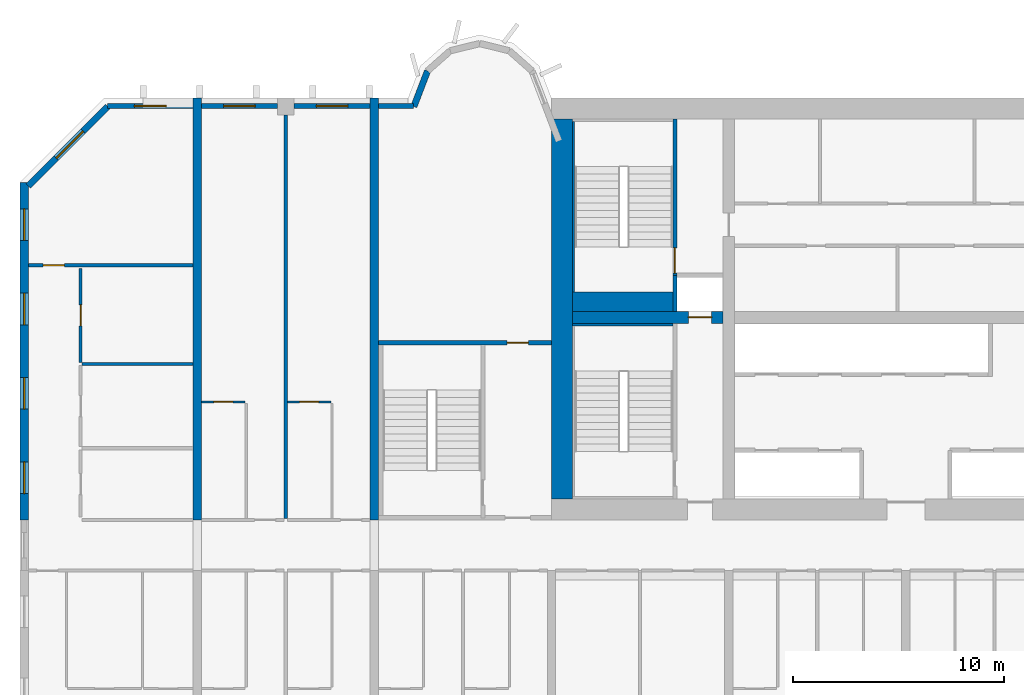
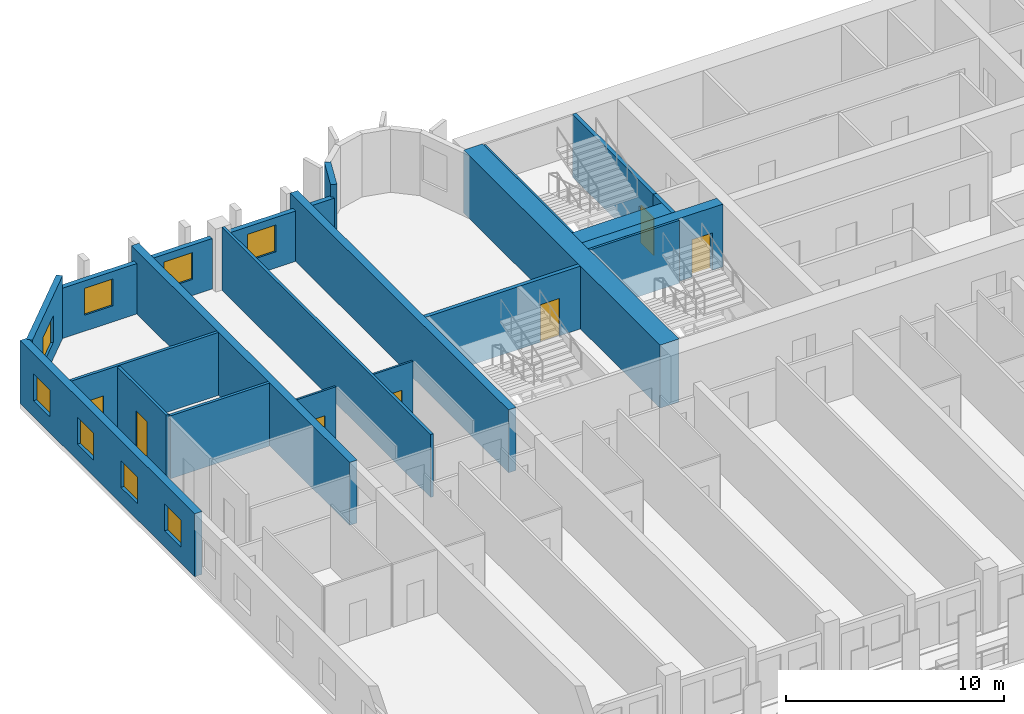
# One storey, part 6 of 14: 23 walls, 8 windows, 7 doors, 15 openings.
"""IFC4 building model written with IfcOpenShell, lengths in metres."""

import ifcopenshell
import ifcopenshell.guid

model = None  # the IFC model being written
_history = None  # IfcOwnerHistory: only IFC2X3 demands one
_inside = {}  # id of a spatial element -> (the spatial element, [elements in it])
_under = {}  # id of a project, library or spatial element -> (it, [spatial elements below it])
_declared = {}  # id of a project -> (the project, [libraries it declares])
_typed = {}  # id of a type object -> (the type object, [elements of that type])
_made_of = {}  # id of a material, layer set ... -> (it, [elements and type objects made of it])


def new_model(schema):
    """Start an empty IFC model of exactly this schema.

    Asked for "IFC4X3", IfcOpenShell would pick the latest addendum, in which some entities
    have other attributes; the version numbers below select the first issue.
    IFC2X3 requires an IfcOwnerHistory on every rooted entity: one is made here for all.
    """
    global model, _history
    if schema == "IFC4X3":
        model = ifcopenshell.file(schema_version=(4, 3, 0, 0))
    else:
        model = ifcopenshell.file(schema=schema)
    _inside.clear()
    _under.clear()
    _declared.clear()
    _typed.clear()
    _made_of.clear()
    _history = None
    if model.schema == "IFC2X3":
        org = make("IfcOrganization", Name="unknown")
        user = make(
            "IfcPersonAndOrganization",
            ThePerson=make("IfcPerson", FamilyName="unknown"),
            TheOrganization=org,
        )
        app = make(
            "IfcApplication",
            ApplicationDeveloper=org,
            Version="unknown",
            ApplicationFullName="unknown",
            ApplicationIdentifier="unknown",
        )
        _history = make(
            "IfcOwnerHistory",
            OwningUser=user,
            OwningApplication=app,
            ChangeAction="ADDED",
            CreationDate=0,
        )
    return model


def make(cls, **values):
    """One entity of the class cls with the attributes given. An attribute that is None is left unset."""
    return model.create_entity(
        cls, **{name: value for name, value in values.items() if value is not None}
    )


def rooted(cls, **values):
    """An entity with a GlobalId (a new one), such as an element, a storey or a relation."""
    return make(cls, GlobalId=ifcopenshell.guid.new(), OwnerHistory=_history, **values)


def si_unit(unit_type, name, prefix=None):
    """IfcSIUnit, for example si_unit("LENGTHUNIT", "METRE", prefix="MILLI")."""
    return make("IfcSIUnit", UnitType=unit_type, Prefix=prefix, Name=name)


def assignment(units):
    """IfcUnitAssignment: the units of a project."""
    return None if units is None else make("IfcUnitAssignment", Units=units)


def point(xyz):
    """IfcCartesianPoint."""
    return None if xyz is None else make("IfcCartesianPoint", Coordinates=xyz)


def direction(xyz):
    """IfcDirection."""
    return None if xyz is None else make("IfcDirection", DirectionRatios=xyz)


def frame(location, z_axis=None, x_axis=None):
    """IfcAxis2Placement3D, a coordinate frame: its origin and axes. An axis left out is left unset."""
    return make(
        "IfcAxis2Placement3D",
        Location=point(location),
        Axis=direction(z_axis),
        RefDirection=direction(x_axis),
    )


def frame_2d(location, x_axis=None):
    """IfcAxis2Placement2D, a coordinate frame in the plane: its origin and x axis."""
    return make(
        "IfcAxis2Placement2D", Location=point(location), RefDirection=direction(x_axis)
    )


def origin():
    """The frame at (0, 0, 0) with its axes left unset."""
    return frame((0.0, 0.0, 0.0))


def place(relative_to, where):
    """IfcLocalPlacement: puts the frame where relative to a parent placement (None: the world)."""
    return make(
        "IfcLocalPlacement", PlacementRelTo=relative_to, RelativePlacement=where
    )


def context(
    kind, dimensions, precision=None, world=None, true_north=None, identifier=None
):
    """IfcGeometricRepresentationContext, for example the 3D "Model" context."""
    return make(
        "IfcGeometricRepresentationContext",
        ContextIdentifier=identifier,
        ContextType=kind,
        CoordinateSpaceDimension=dimensions,
        Precision=precision,
        WorldCoordinateSystem=world,
        TrueNorth=true_north,
    )


def subcontext(parent, identifier, kind, view, scale=None):
    """IfcGeometricRepresentationSubContext, for example "Body" below "Model"."""
    return make(
        "IfcGeometricRepresentationSubContext",
        ContextIdentifier=identifier,
        ContextType=kind,
        ParentContext=parent,
        TargetScale=scale,
        TargetView=view,
    )


def project(units=None, contexts=None):
    """IfcProject with its units and contexts."""
    return rooted(
        "IfcProject",
        Name="project",
        RepresentationContexts=contexts,
        UnitsInContext=assignment(units),
    )


def spatial(cls, under=None, at=None, **own):
    """A site, building, storey or space (cls), placed at a placement, below another one or the project."""
    s = rooted(cls, ObjectPlacement=at, **own)
    if under is not None:
        _under.setdefault(under.id(), (under, []))[1].append(s)
    return s


def profile(cls, at=None, kind="AREA", **sizes):
    """A parametric profile (cls). Its sizes go by their IFC names, for example OverallWidth=200.0."""
    return make(cls, ProfileType=kind, Position=at, **sizes)


def rectangle(**sizes):
    """IfcRectangleProfileDef."""
    return profile("IfcRectangleProfileDef", **sizes)


def extrude(swept, where, along, depth):
    """IfcExtrudedAreaSolid: the profile swept, set in the frame where, extruded along a direction by depth."""
    return make(
        "IfcExtrudedAreaSolid",
        SweptArea=swept,
        Position=where,
        ExtrudedDirection=direction(along),
        Depth=depth,
    )


def shape(context_of_items, identifier, shape_type, items):
    """IfcShapeRepresentation: the items that make up one representation, for example the "Body"."""
    return make(
        "IfcShapeRepresentation",
        ContextOfItems=context_of_items,
        RepresentationIdentifier=identifier,
        RepresentationType=shape_type,
        Items=items,
    )


def source(mapping_origin, context_of_items, identifier, shape_type, items):
    """IfcRepresentationMap: a shape defined once, which mapped items show again and again."""
    return make(
        "IfcRepresentationMap",
        MappingOrigin=mapping_origin,
        MappedRepresentation=shape(context_of_items, identifier, shape_type, items),
    )


def transform(
    local_origin,
    x_axis=None,
    y_axis=None,
    z_axis=None,
    scale=None,
    scale2=None,
    scale3=None,
    uniform=True,
):
    """IfcCartesianTransformationOperator3D, or its non-uniform kind. x_axis, y_axis, z_axis: its Axis1, 2, 3."""
    if uniform:
        return make(
            "IfcCartesianTransformationOperator3D",
            Axis1=direction(x_axis),
            Axis2=direction(y_axis),
            LocalOrigin=point(local_origin),
            Scale=scale,
            Axis3=direction(z_axis),
        )
    return make(
        "IfcCartesianTransformationOperator3DnonUniform",
        Axis1=direction(x_axis),
        Axis2=direction(y_axis),
        LocalOrigin=point(local_origin),
        Scale=scale,
        Axis3=direction(z_axis),
        Scale2=scale2,
        Scale3=scale3,
    )


def mapped(mapping_source, mapping_target):
    """IfcMappedItem: shows the shape of a source again, moved by a transform."""
    return make(
        "IfcMappedItem", MappingSource=mapping_source, MappingTarget=mapping_target
    )


def material(Name=None, Category=None):
    """IfcMaterial."""
    return make("IfcMaterial", Name=Name, Category=Category)


def layer(
    of_material, thickness, ventilated=None, Name=None, Category=None, Priority=None
):
    """IfcMaterialLayer: one layer of a wall or slab, of a material (None: an air gap)."""
    return make(
        "IfcMaterialLayer",
        Material=of_material,
        LayerThickness=thickness,
        IsVentilated=ventilated,
        Name=Name,
        Category=Category,
        Priority=Priority,
    )


def layer_set(layers, Name=None):
    """IfcMaterialLayerSet."""
    return make("IfcMaterialLayerSet", MaterialLayers=layers, LayerSetName=Name)


def made_of(thing, what):
    """Note that an element or type object is made of a material, layer set ...; save() writes the relation."""
    if what is not None:
        _made_of.setdefault(what.id(), (what, []))[1].append(thing)
    return thing


def type_object(cls, material=None, **own):
    """A type object (cls), such as IfcWallType, which elements share."""
    return made_of(rooted(cls, **own), material)


def element(
    cls,
    number,
    at=None,
    inside=None,
    cuts=None,
    type_object=None,
    material=None,
    context=None,
    identifier="Body",
    shape_type=None,
    held_by="IfcProductDefinitionShape",
    body=None,
    shapes=None,
    **own,
):
    """One element of the class cls, such as IfcWall. Its Tag is "e" and its number.

    at: its placement. inside: the storey or other place that contains it. cuts: it is an
    opening in that element (IfcRelVoidsElement). A single representation is given by context,
    identifier, shape_type and body (its items); several are given by shapes. held_by: the class
    of the entity that holds the representations. save() writes the other relations.
    """
    e = rooted(cls, Tag="e%d" % number, ObjectPlacement=at, **own)
    if body is not None:
        shapes = [shape(context, identifier, shape_type, body)]
    if shapes is not None:
        e.Representation = make(held_by, Representations=shapes)
    if inside is not None:
        _inside.setdefault(inside.id(), (inside, []))[1].append(e)
    if cuts is not None:
        rooted(
            "IfcRelVoidsElement", RelatingBuildingElement=cuts, RelatedOpeningElement=e
        )
    if type_object is not None:
        _typed.setdefault(type_object.id(), (type_object, []))[1].append(e)
    return made_of(e, material)


def fill(opening, filler):
    """IfcRelFillsElement: the door or window that sits in an opening."""
    return rooted(
        "IfcRelFillsElement",
        RelatingOpeningElement=opening,
        RelatedBuildingElement=filler,
    )


def aggregate(whole, parts):
    """IfcRelAggregates: a whole, such as a stair, and the parts it consists of."""
    return rooted("IfcRelAggregates", RelatingObject=whole, RelatedObjects=parts)


def save(model, path):
    """Write the relations noted so far, then the file.

    IfcRelAggregates (storeys below a building ...), IfcRelContainedInSpatialStructure (elements
    in a storey), IfcRelDefinesByType, IfcRelAssociatesMaterial and IfcRelDeclares: one each for
    every whole, place, type object, material and project.
    """
    for whole, parts in _under.values():
        aggregate(whole, parts)
    for where, things in _inside.values():
        rooted(
            "IfcRelContainedInSpatialStructure",
            RelatedElements=things,
            RelatingStructure=where,
        )
    for kind, things in _typed.values():
        rooted("IfcRelDefinesByType", RelatedObjects=things, RelatingType=kind)
    for what, things in _made_of.values():
        rooted("IfcRelAssociatesMaterial", RelatedObjects=things, RelatingMaterial=what)
    for by, libraries in _declared.values():
        rooted("IfcRelDeclares", RelatingContext=by, RelatedDefinitions=libraries)
    model.write(path)


model = new_model("IFC4")

# Units and contexts
model_context = context("Model", 3, precision=1e-05, world=origin(), true_north=direction((0.0, 1.0)))
body_context = subcontext(model_context, "Body", "Model", "MODEL_VIEW")
ifc_project = project(units=[si_unit("LENGTHUNIT", "METRE"), si_unit("AREAUNIT", "SQUARE_METRE"), si_unit("VOLUMEUNIT", "CUBIC_METRE"), si_unit("PLANEANGLEUNIT", "RADIAN"), si_unit("MASSUNIT", "GRAM", prefix="KILO")], contexts=[model_context])

# Site, building, storey
site_placement = place(None, origin())
site = spatial("IfcSite", under=ifc_project, at=site_placement, CompositionType="ELEMENT")
building_placement = place(site_placement, origin())
building = spatial("IfcBuilding", under=site, at=building_placement, Name="Vanashikhar Sky Hotel", CompositionType="ELEMENT")
storey_placement = place(building_placement, frame((0.0, 0.0, 73.39990234375)))
storey = spatial("IfcBuildingStorey", under=building, at=storey_placement, Name="L17", CompositionType="ELEMENT", Elevation=73.39990234375)

# Wall
ifc_material_1 = material(Name="Concrete M80", Category="concrete")
ifc_layer_1 = layer(ifc_material_1, 1.0)
ifc_layer_set_1 = layer_set([ifc_layer_1], Name="RC core shell wall 1000 Concrete M80")
wall_type_1 = type_object("IfcWallType", Name="RC core shell wall 1000 Concrete M80", PredefinedType="SHEAR", material=ifc_layer_set_1)
shared_shape_1 = source(origin(), body_context, "Body", "SweptSolid", [
    extrude(rectangle(XDim=18.0, YDim=1.0, at=frame_2d((9.0, 0.0))), origin(), (0.0, 0.0, 1.0), 3.52001953125),
])
wall_1_placement = place(storey_placement, frame((25.699951171875, 23.0, 0.0), z_axis=(0.0, 0.0, 1.0), x_axis=(0.0, 1.0, 0.0)))
element("IfcWall", 1, at=wall_1_placement, inside=storey, type_object=wall_type_1, Name="KW-L17-KW", PredefinedType="SHEAR", context=body_context, shape_type="MappedRepresentation", body=[
    mapped(shared_shape_1, transform((0.0, 0.0, 0.0), scale=1.0)),
])

# Wall, opening, door
ifc_layer_2 = layer(ifc_material_1, 0.550048828125)
ifc_layer_set_2 = layer_set([ifc_layer_2], Name="RC core inner wall 550 Concrete M80")
wall_type_2 = type_object("IfcWallType", Name="RC core inner wall 550 Concrete M80", PredefinedType="SHEAR", material=ifc_layer_set_2)
shared_shape_2 = source(origin(), body_context, "Body", "SweptSolid", [
    extrude(rectangle(XDim=7.125, YDim=0.550048828125, at=frame_2d((3.5625, 0.0))), origin(), (0.0, 0.0, 1.0), 3.52001953125),
])
wall_2_placement = place(storey_placement, frame((26.199951171875, 31.60009765625, 0.0), z_axis=(0.0, 0.0, 1.0), x_axis=(1.0, 0.0, 0.0)))
wall_2 = element("IfcWall", 2, at=wall_2_placement, inside=storey, type_object=wall_type_2, Name="KW-L17-KY1", PredefinedType="SHEAR", context=body_context, shape_type="MappedRepresentation", body=[
    mapped(shared_shape_2, transform((0.0, 0.0, 0.0), scale=1.0)),
])
shared_shape_3 = source(origin(), body_context, "Body", "SweptSolid", [
    extrude(rectangle(XDim=1.10009765625, YDim=2.10009765625, at=frame_2d((0.550048828125, 1.050048828125))), frame((0.0, 0.28515625, 0.0), z_axis=(0.0, -1.0, 0.0), x_axis=(1.0, 0.0, 0.0)), (0.0, 0.0, 1.0), 0.570068359375),
])
opening_1_placement = place(wall_2_placement, frame((5.488037109375, 0.0, 0.0)))
opening_1 = element("IfcOpeningElement", 3, at=opening_1_placement, cuts=wall_2, Name="Opening LD", PredefinedType="OPENING", context=body_context, shape_type="MappedRepresentation", body=[
    mapped(shared_shape_3, transform((0.0, 0.0, 0.0), scale=1.0)),
])
ifc_material_2 = material(Name="Stainless steel", Category="steel")
door_type_1 = type_object("IfcDoorType", Name="Lift landing door 1100", OperationType="NOTDEFINED", PredefinedType="DOOR", material=ifc_material_2)
shared_shape_4 = source(origin(), body_context, "Body", "SweptSolid", [
    extrude(rectangle(XDim=1.10009765625, YDim=2.10009765625, at=frame_2d((0.550048828125, 1.050048828125))), frame((0.0, 0.02490234375, 0.0), z_axis=(0.0, -1.0, 0.0), x_axis=(1.0, 0.0, 0.0)), (0.0, 0.0, 1.0), 0.050048828125),
])
door_1_placement = place(opening_1_placement, origin())
door_1 = element("IfcDoor", 4, at=door_1_placement, inside=storey, type_object=door_type_1, Name="Lift landing door 1100", OperationType="SLIDING_TO_RIGHT", OverallHeight=2.10009765625, OverallWidth=1.10009765625, PredefinedType="DOOR", context=body_context, shape_type="MappedRepresentation", body=[
    mapped(shared_shape_4, transform((0.0, 0.0, 0.0), scale=1.0)),
])
fill(opening_1, door_1)

# Wall, openings, windows
ifc_layer_3 = layer(ifc_material_1, 0.39990234375)
ifc_layer_set_3 = layer_set([ifc_layer_3], Name="RC shear wall 400 Concrete M80")
wall_type_3 = type_object("IfcWallType", Name="RC shear wall 400 Concrete M80", PredefinedType="SHEAR", material=ifc_layer_set_3)
shared_shape_5 = source(origin(), body_context, "Body", "SweptSolid", [
    extrude(rectangle(XDim=16.0, YDim=0.39990234375, at=frame_2d((8.0, 0.0))), origin(), (0.0, 0.0, 1.0), 3.52001953125),
])
wall_3_placement = place(storey_placement, frame((0.199951171875, 22.0, 0.0), z_axis=(0.0, 0.0, 1.0), x_axis=(0.0, 1.0, 0.0)))
wall_3 = element("IfcWall", 5, at=wall_3_placement, inside=storey, type_object=wall_type_3, Name="CW-L17-XW01-2", PredefinedType="SHEAR", context=body_context, shape_type="MappedRepresentation", body=[
    mapped(shared_shape_5, transform((0.0, 0.0, 0.0), scale=1.0)),
])
shared_shape_6 = source(origin(), body_context, "Body", "SweptSolid", [
    extrude(rectangle(XDim=1.5, YDim=1.5, at=frame_2d((0.75, 0.75))), frame((0.0, 0.2099609375, 0.0), z_axis=(0.0, -1.0, 0.0), x_axis=(1.0, 0.0, 0.0)), (0.0, 0.0, 1.0), 0.419921875),
])
opening_2_placement = place(wall_3_placement, frame((1.25, 0.0, 0.89990234375)))
opening_2 = element("IfcOpeningElement", 6, at=opening_2_placement, cuts=wall_3, Name="Opening WN-1", PredefinedType="OPENING", context=body_context, shape_type="MappedRepresentation", body=[
    mapped(shared_shape_6, transform((0.0, 0.0, 0.0), scale=1.0)),
])
opening_3_placement = place(wall_3_placement, frame((5.25, 0.0, 0.89990234375)))
opening_3 = element("IfcOpeningElement", 7, at=opening_3_placement, cuts=wall_3, Name="Opening WN-1", PredefinedType="OPENING", context=body_context, shape_type="MappedRepresentation", body=[
    mapped(shared_shape_6, transform((0.0, 0.0, 0.0), scale=1.0)),
])
opening_4_placement = place(wall_3_placement, frame((9.25, 0.0, 0.89990234375)))
opening_4 = element("IfcOpeningElement", 8, at=opening_4_placement, cuts=wall_3, Name="Opening WN-1", PredefinedType="OPENING", context=body_context, shape_type="MappedRepresentation", body=[
    mapped(shared_shape_6, transform((0.0, 0.0, 0.0), scale=1.0)),
])
opening_5_placement = place(wall_3_placement, frame((13.25, 0.0, 0.89990234375)))
opening_5 = element("IfcOpeningElement", 9, at=opening_5_placement, cuts=wall_3, Name="Opening WN-1", PredefinedType="OPENING", context=body_context, shape_type="MappedRepresentation", body=[
    mapped(shared_shape_6, transform((0.0, 0.0, 0.0), scale=1.0)),
])
ifc_material_3 = material(Name="Glass", Category="glass")
window_type_1 = type_object("IfcWindowType", Name="Window 1500 x 1500", PartitioningType="SINGLE_PANEL", PredefinedType="WINDOW", material=ifc_material_3)
shared_shape_7 = source(origin(), body_context, "Body", "SweptSolid", [
    extrude(rectangle(XDim=1.5, YDim=1.5, at=frame_2d((0.75, 0.75))), frame((0.0, 0.030029296875, 0.0), z_axis=(0.0, -1.0, 0.0), x_axis=(1.0, 0.0, 0.0)), (0.0, 0.0, 1.0), 0.06005859375),
])
window_1_placement = place(opening_2_placement, origin())
window_1 = element("IfcWindow", 10, at=window_1_placement, inside=storey, type_object=window_type_1, Name="Window WN-1", OverallHeight=1.5, OverallWidth=1.5, PartitioningType="SINGLE_PANEL", PredefinedType="WINDOW", context=body_context, shape_type="MappedRepresentation", body=[
    mapped(shared_shape_7, transform((0.0, 0.0, 0.0), scale=1.0)),
])
fill(opening_2, window_1)
window_2_placement = place(opening_3_placement, origin())
window_2 = element("IfcWindow", 11, at=window_2_placement, inside=storey, type_object=window_type_1, Name="Window WN-1", OverallHeight=1.5, OverallWidth=1.5, PartitioningType="SINGLE_PANEL", PredefinedType="WINDOW", context=body_context, shape_type="MappedRepresentation", body=[
    mapped(shared_shape_7, transform((0.0, 0.0, 0.0), scale=1.0)),
])
fill(opening_3, window_2)
window_3_placement = place(opening_4_placement, origin())
window_3 = element("IfcWindow", 12, at=window_3_placement, inside=storey, type_object=window_type_1, Name="Window WN-1", OverallHeight=1.5, OverallWidth=1.5, PartitioningType="SINGLE_PANEL", PredefinedType="WINDOW", context=body_context, shape_type="MappedRepresentation", body=[
    mapped(shared_shape_7, transform((0.0, 0.0, 0.0), scale=1.0)),
])
fill(opening_4, window_3)
window_4_placement = place(opening_5_placement, origin())
window_4 = element("IfcWindow", 13, at=window_4_placement, inside=storey, type_object=window_type_1, Name="Window WN-1", OverallHeight=1.5, OverallWidth=1.5, PartitioningType="SINGLE_PANEL", PredefinedType="WINDOW", context=body_context, shape_type="MappedRepresentation", body=[
    mapped(shared_shape_7, transform((0.0, 0.0, 0.0), scale=1.0)),
])
fill(opening_5, window_4)

# Walls
shared_shape_8 = source(origin(), body_context, "Body", "SweptSolid", [
    extrude(rectangle(XDim=20.0, YDim=0.39990234375, at=frame_2d((10.0, 0.0))), origin(), (0.0, 0.0, 1.0), 3.52001953125),
])
for number, where, z_axis, x_axis, name in (
    (14, (8.39990234375, 22.0, 0.0), (0.0, 0.0, 1.0), (0.0, 1.0, 0.0), "CW-L17-XW02-2"),
    (15, (16.800048828125, 22.0, 0.0), (0.0, 0.0, 1.0), (0.0, 1.0, 0.0), "CW-L17-XW03-2"),
):
    element("IfcWall", number, at=place(storey_placement, frame(where, z_axis=z_axis, x_axis=x_axis)), inside=storey, type_object=wall_type_3, Name=name, PredefinedType="SHEAR", context=body_context, shape_type="MappedRepresentation", body=[
        mapped(shared_shape_8, transform((0.0, 0.0, 0.0), scale=1.0)),
    ])

# Wall, opening, window
ifc_material_4 = material(Name="Concrete M50", Category="concrete")
ifc_layer_4 = layer(ifc_material_4, 0.300048828125)
ifc_layer_set_4 = layer_set([ifc_layer_4], Name="Lobe wall 300")
wall_type_4 = type_object("IfcWallType", Name="Lobe wall 300", PredefinedType="SOLIDWALL", material=ifc_layer_set_4)
shared_shape_9 = source(origin(), body_context, "Body", "SweptSolid", [
    extrude(rectangle(XDim=5.32568359375, YDim=0.300048828125, at=frame_2d((2.662841796875, 0.0))), origin(), (0.0, 0.0, 1.0), 3.52001953125),
])
wall_4_placement = place(storey_placement, frame((4.165771484375, 41.60009765625, 0.0), z_axis=(0.0, 0.0, 1.0), x_axis=(-0.707106781187, -0.707106781187, 0.0)))
wall_4 = element("IfcWall", 16, at=wall_4_placement, inside=storey, type_object=wall_type_4, Name="Corner wall", PredefinedType="SOLIDWALL", context=body_context, shape_type="MappedRepresentation", body=[
    mapped(shared_shape_9, transform((0.0, 0.0, 0.0), scale=1.0)),
])
shared_shape_10 = source(origin(), body_context, "Body", "SweptSolid", [
    extrude(rectangle(XDim=1.800048828125, YDim=1.5, at=frame_2d((0.89990234375, 0.75))), frame((0.0, 0.16015625, 0.0), z_axis=(0.0, -1.0, 0.0), x_axis=(1.0, 0.0, 0.0)), (0.0, 0.0, 1.0), 0.320068359375),
])
opening_6_placement = place(wall_4_placement, frame((1.654296875, 0.0, 0.89990234375)))
opening_6 = element("IfcOpeningElement", 17, at=opening_6_placement, cuts=wall_4, Name="Opening WN-4", PredefinedType="OPENING", context=body_context, shape_type="MappedRepresentation", body=[
    mapped(shared_shape_10, transform((0.0, 0.0, 0.0), scale=1.0)),
])
window_type_2 = type_object("IfcWindowType", Name="Corner window 1800 x 1500", PartitioningType="SINGLE_PANEL", PredefinedType="WINDOW", material=ifc_material_3)
shared_shape_11 = source(origin(), body_context, "Body", "SweptSolid", [
    extrude(rectangle(XDim=1.800048828125, YDim=1.5, at=frame_2d((0.89990234375, 0.75))), frame((0.0, 0.030029296875, 0.0), z_axis=(0.0, -1.0, 0.0), x_axis=(1.0, 0.0, 0.0)), (0.0, 0.0, 1.0), 0.06005859375),
])
window_5_placement = place(opening_6_placement, origin())
window_5 = element("IfcWindow", 18, at=window_5_placement, inside=storey, type_object=window_type_2, Name="Window WN-4", OverallHeight=1.5, OverallWidth=1.800048828125, PartitioningType="SINGLE_PANEL", PredefinedType="WINDOW", context=body_context, shape_type="MappedRepresentation", body=[
    mapped(shared_shape_11, transform((0.0, 0.0, 0.0), scale=1.0)),
])
fill(opening_6, window_5)

# Walls
shared_shape_12 = source(origin(), body_context, "Body", "SweptSolid", [
    extrude(rectangle(XDim=1.81201171875, YDim=0.300048828125, at=frame_2d((0.906005859375, 0.0))), origin(), (0.0, 0.0, 1.0), 3.52001953125),
])
wall_5_placement = place(storey_placement, frame((19.323486328125, 43.2919921875, 0.0), z_axis=(0.0, 0.0, 1.0), x_axis=(-0.357877270961, -0.93376863244, 0.0)))
element("IfcWall", 19, at=wall_5_placement, inside=storey, type_object=wall_type_4, Name="Lobe wall", PredefinedType="SOLIDWALL", context=body_context, shape_type="MappedRepresentation", body=[
    mapped(shared_shape_12, transform((0.0, 0.0, 0.0), scale=1.0)),
])
ifc_layer_5 = layer(ifc_material_4, 0.25)
ifc_layer_set_5 = layer_set([ifc_layer_5], Name="Rear and end board-marked wall 250")
wall_type_5 = type_object("IfcWallType", Name="Rear and end board-marked wall 250", PredefinedType="SOLIDWALL", material=ifc_layer_set_5)
shared_shape_13 = source(origin(), body_context, "Body", "SweptSolid", [
    extrude(rectangle(XDim=1.657958984375, YDim=0.25, at=frame_2d((0.8291015625, 0.0))), origin(), (0.0, 0.0, 1.0), 2.820068359375),
])
wall_6_placement = place(storey_placement, frame((18.657958984375, 41.625, 0.0), z_axis=(0.0, 0.0, 1.0), x_axis=(-1.0, 0.0, 0.0)))
element("IfcWall", 20, at=wall_6_placement, inside=storey, type_object=wall_type_5, Name="Rear board-marked wall", PredefinedType="SOLIDWALL", context=body_context, shape_type="MappedRepresentation", body=[
    mapped(shared_shape_13, transform((0.0, 0.0, 0.0), scale=1.0)),
])

# Wall, opening, window
shared_shape_14 = source(origin(), body_context, "Body", "SweptSolid", [
    extrude(rectangle(XDim=3.60009765625, YDim=0.25, at=frame_2d((1.800048828125, 0.0))), origin(), (0.0, 0.0, 1.0), 2.820068359375),
])
wall_7_placement = place(storey_placement, frame((16.60009765625, 41.625, 0.0), z_axis=(0.0, 0.0, 1.0), x_axis=(-1.0, 0.0, 0.0)))
wall_7 = element("IfcWall", 21, at=wall_7_placement, inside=storey, type_object=wall_type_5, Name="Rear board-marked wall", PredefinedType="SOLIDWALL", context=body_context, shape_type="MappedRepresentation", body=[
    mapped(shared_shape_14, transform((0.0, 0.0, 0.0), scale=1.0)),
])
shared_shape_15 = source(origin(), body_context, "Body", "SweptSolid", [
    extrude(rectangle(XDim=1.5, YDim=1.5, at=frame_2d((0.75, 0.75))), frame((0.0, 0.135009765625, 0.0), z_axis=(0.0, -1.0, 0.0), x_axis=(1.0, 0.0, 0.0)), (0.0, 0.0, 1.0), 0.27001953125),
])
opening_7_placement = place(wall_7_placement, frame((1.050048828125, 0.0, 0.89990234375)))
opening_7 = element("IfcOpeningElement", 22, at=opening_7_placement, cuts=wall_7, Name="Opening WN-1", PredefinedType="OPENING", context=body_context, shape_type="MappedRepresentation", body=[
    mapped(shared_shape_15, transform((0.0, 0.0, 0.0), scale=1.0)),
])
window_6_placement = place(opening_7_placement, origin())
window_6 = element("IfcWindow", 23, at=window_6_placement, inside=storey, type_object=window_type_1, Name="Window WN-1", OverallHeight=1.5, OverallWidth=1.5, PartitioningType="SINGLE_PANEL", PredefinedType="WINDOW", context=body_context, shape_type="MappedRepresentation", body=[
    mapped(shared_shape_7, transform((0.0, 0.0, 0.0), scale=1.0)),
])
fill(opening_7, window_6)

shared_shape_16 = source(origin(), body_context, "Body", "SweptSolid", [
    extrude(rectangle(XDim=3.599853515625, YDim=0.25, at=frame_2d((1.7998046875, 0.0))), origin(), (0.0, 0.0, 1.0), 2.820068359375),
])
wall_8_placement = place(storey_placement, frame((12.199951171875, 41.625, 0.0), z_axis=(0.0, 0.0, 1.0), x_axis=(-1.0, 0.0, 0.0)))
wall_8 = element("IfcWall", 24, at=wall_8_placement, inside=storey, type_object=wall_type_5, Name="Rear board-marked wall", PredefinedType="SOLIDWALL", context=body_context, shape_type="MappedRepresentation", body=[
    mapped(shared_shape_16, transform((0.0, 0.0, 0.0), scale=1.0)),
])
opening_8_placement = place(wall_8_placement, frame((1.050048828125, 0.0, 0.89990234375)))
opening_8 = element("IfcOpeningElement", 25, at=opening_8_placement, cuts=wall_8, Name="Opening WN-1", PredefinedType="OPENING", context=body_context, shape_type="MappedRepresentation", body=[
    mapped(shared_shape_15, transform((0.0, 0.0, 0.0), scale=1.0)),
])
window_7_placement = place(opening_8_placement, origin())
window_7 = element("IfcWindow", 26, at=window_7_placement, inside=storey, type_object=window_type_1, Name="Window WN-1", OverallHeight=1.5, OverallWidth=1.5, PartitioningType="SINGLE_PANEL", PredefinedType="WINDOW", context=body_context, shape_type="MappedRepresentation", body=[
    mapped(shared_shape_7, transform((0.0, 0.0, 0.0), scale=1.0)),
])
fill(opening_8, window_7)

shared_shape_17 = source(origin(), body_context, "Body", "SweptSolid", [
    extrude(rectangle(XDim=4.044677734375, YDim=0.25, at=frame_2d((2.0224609375, 0.0))), origin(), (0.0, 0.0, 1.0), 2.820068359375),
])
wall_9_placement = place(storey_placement, frame((8.199951171875, 41.625, 0.0), z_axis=(0.0, 0.0, 1.0), x_axis=(-1.0, 0.0, 0.0)))
wall_9 = element("IfcWall", 27, at=wall_9_placement, inside=storey, type_object=wall_type_5, Name="Rear board-marked wall", PredefinedType="SOLIDWALL", context=body_context, shape_type="MappedRepresentation", body=[
    mapped(shared_shape_17, transform((0.0, 0.0, 0.0), scale=1.0)),
])
opening_9_placement = place(wall_9_placement, frame((1.2724609375, 0.0, 0.89990234375)))
opening_9 = element("IfcOpeningElement", 28, at=opening_9_placement, cuts=wall_9, Name="Opening WN-1", PredefinedType="OPENING", context=body_context, shape_type="MappedRepresentation", body=[
    mapped(shared_shape_15, transform((0.0, 0.0, 0.0), scale=1.0)),
])
window_8_placement = place(opening_9_placement, origin())
window_8 = element("IfcWindow", 29, at=window_8_placement, inside=storey, type_object=window_type_1, Name="Window WN-1", OverallHeight=1.5, OverallWidth=1.5, PartitioningType="SINGLE_PANEL", PredefinedType="WINDOW", context=body_context, shape_type="MappedRepresentation", body=[
    mapped(shared_shape_7, transform((0.0, 0.0, 0.0), scale=1.0)),
])
fill(opening_9, window_8)

# Wall, opening, door
ifc_layer_6 = layer(ifc_material_4, 0.199951171875)
ifc_layer_set_6 = layer_set([ifc_layer_6], Name="Stair wall 200")
wall_type_6 = type_object("IfcWallType", Name="Stair wall 200", PredefinedType="SOLIDWALL", material=ifc_layer_set_6)
shared_shape_18 = source(origin(), body_context, "Body", "SweptSolid", [
    extrude(rectangle(XDim=8.199951171875, YDim=0.199951171875, at=frame_2d((4.10009765625, 0.0))), origin(), (0.0, 0.0, 1.0), 3.52001953125),
])
wall_10_placement = place(storey_placement, frame((17.0, 30.39990234375, 0.0), z_axis=(0.0, 0.0, 1.0), x_axis=(1.0, 0.0, 0.0)))
wall_10 = element("IfcWall", 30, at=wall_10_placement, inside=storey, type_object=wall_type_6, Name="Stair wall 200", PredefinedType="SOLIDWALL", context=body_context, shape_type="MappedRepresentation", body=[
    mapped(shared_shape_18, transform((0.0, 0.0, 0.0), scale=1.0)),
])
shared_shape_19 = source(origin(), body_context, "Body", "SweptSolid", [
    extrude(rectangle(XDim=1.0, YDim=2.10009765625, at=frame_2d((0.5, 1.050048828125))), frame((0.0, 0.10986328125, 0.0), z_axis=(0.0, -1.0, 0.0), x_axis=(1.0, 0.0, 0.0)), (0.0, 0.0, 1.0), 0.219970703125),
])
opening_10_placement = place(wall_10_placement, frame((6.10009765625, 0.0, 0.0)))
opening_10 = element("IfcOpeningElement", 31, at=opening_10_placement, cuts=wall_10, Name="Opening DC-6", PredefinedType="OPENING", context=body_context, shape_type="MappedRepresentation", body=[
    mapped(shared_shape_19, transform((0.0, 0.0, 0.0), scale=1.0)),
])
ifc_material_5 = material(Name="Steel", Category="steel")
door_type_2 = type_object("IfcDoorType", Name="Pocket door 1000 FD60", OperationType="NOTDEFINED", PredefinedType="DOOR", material=ifc_material_5)
shared_shape_20 = source(origin(), body_context, "Body", "SweptSolid", [
    extrude(rectangle(XDim=1.0, YDim=2.10009765625, at=frame_2d((0.5, 1.050048828125))), frame((0.0, 0.02490234375, 0.0), z_axis=(0.0, -1.0, 0.0), x_axis=(1.0, 0.0, 0.0)), (0.0, 0.0, 1.0), 0.050048828125),
])
door_2_placement = place(opening_10_placement, origin())
door_2 = element("IfcDoor", 32, at=door_2_placement, inside=storey, type_object=door_type_2, Name="Pocket door 1000 FD60", OperationType="SINGLE_SWING_RIGHT", OverallHeight=2.10009765625, OverallWidth=1.0, PredefinedType="DOOR", context=body_context, shape_type="MappedRepresentation", body=[
    mapped(shared_shape_20, transform((0.0, 0.0, 0.0), scale=1.0)),
])
fill(opening_10, door_2)

# Walls
ifc_layer_7 = layer(ifc_material_4, 0.10009765625)
ifc_layer_set_7 = layer_set([ifc_layer_7], Name="Stair infill wall 100")
wall_type_7 = type_object("IfcWallType", Name="Stair infill wall 100", PredefinedType="SOLIDWALL", material=ifc_layer_set_7)
shared_shape_21 = source(origin(), body_context, "Body", "SweptSolid", [
    extrude(rectangle(XDim=8.099853515625, YDim=0.10009765625, at=frame_2d((4.0498046875, 0.0))), origin(), (0.0, 0.0, 1.0), 3.52001953125),
])
wall_11_placement = place(storey_placement, frame((26.25, 32.800048828125, 0.0), z_axis=(0.0, 0.0, 1.0), x_axis=(0.0, 1.0, 0.0)))
element("IfcWall", 33, at=wall_11_placement, inside=storey, type_object=wall_type_7, Name="Stair infill wall 100", PredefinedType="SOLIDWALL", context=body_context, shape_type="MappedRepresentation", body=[
    mapped(shared_shape_21, transform((0.0, 0.0, 0.0), scale=1.0)),
])
ifc_material_6 = material(Name="Concrete M40", Category="concrete")
ifc_layer_8 = layer(ifc_material_6, 0.199951171875)
ifc_layer_set_8 = layer_set([ifc_layer_8], Name="Shaft wall 200")
wall_type_8 = type_object("IfcWallType", Name="Shaft wall 200", PredefinedType="SOLIDWALL", material=ifc_layer_set_8)
shared_shape_22 = source(origin(), body_context, "Body", "SweptSolid", [
    extrude(rectangle(XDim=1.72509765625, YDim=0.199951171875, at=frame_2d((0.862548828125, 0.0))), origin(), (0.0, 0.0, 1.0), 3.52001953125),
])
wall_12_placement = place(storey_placement, frame((31.050048828125, 31.875, 0.0), z_axis=(0.0, 0.0, 1.0), x_axis=(0.0, 1.0, 0.0)))
element("IfcWall", 34, at=wall_12_placement, inside=storey, type_object=wall_type_8, Name="Shaft wall 200", PredefinedType="SOLIDWALL", context=body_context, shape_type="MappedRepresentation", body=[
    mapped(shared_shape_22, transform((0.0, 0.0, 0.0), scale=1.0)),
])

# Wall, opening, door
shared_shape_23 = source(origin(), body_context, "Body", "SweptSolid", [
    extrude(rectangle(XDim=7.39990234375, YDim=0.199951171875, at=frame_2d((3.699951171875, 0.0))), origin(), (0.0, 0.0, 1.0), 3.52001953125),
])
wall_13_placement = place(storey_placement, frame((31.050048828125, 33.60009765625, 0.0), z_axis=(0.0, 0.0, 1.0), x_axis=(0.0, 1.0, 0.0)))
wall_13 = element("IfcWall", 35, at=wall_13_placement, inside=storey, type_object=wall_type_6, Name="Stair wall 200", PredefinedType="SOLIDWALL", context=body_context, shape_type="MappedRepresentation", body=[
    mapped(shared_shape_23, transform((0.0, 0.0, 0.0), scale=1.0)),
])
shared_shape_24 = source(origin(), body_context, "Body", "SweptSolid", [
    extrude(rectangle(XDim=1.199951171875, YDim=2.10009765625, at=frame_2d((0.60009765625, 1.050048828125))), frame((0.0, 0.10986328125, 0.0), z_axis=(0.0, -1.0, 0.0), x_axis=(1.0, 0.0, 0.0)), (0.0, 0.0, 1.0), 0.219970703125),
])
opening_11_placement = place(wall_13_placement, frame((0.10009765625, 0.0, 0.0)))
opening_11 = element("IfcOpeningElement", 36, at=opening_11_placement, cuts=wall_13, Name="Opening DC-1", PredefinedType="OPENING", context=body_context, shape_type="MappedRepresentation", body=[
    mapped(shared_shape_24, transform((0.0, 0.0, 0.0), scale=1.0)),
])
door_type_3 = type_object("IfcDoorType", Name="Stair door 1200 FD120", OperationType="NOTDEFINED", PredefinedType="DOOR", material=ifc_material_5)
shared_shape_25 = source(origin(), body_context, "Body", "SweptSolid", [
    extrude(rectangle(XDim=1.199951171875, YDim=2.10009765625, at=frame_2d((0.60009765625, 1.050048828125))), frame((0.0, 0.02490234375, 0.0), z_axis=(0.0, -1.0, 0.0), x_axis=(1.0, 0.0, 0.0)), (0.0, 0.0, 1.0), 0.050048828125),
])
door_3_placement = place(opening_11_placement, origin())
door_3 = element("IfcDoor", 37, at=door_3_placement, inside=storey, type_object=door_type_3, Name="Stair door 1200 FD120", OperationType="SINGLE_SWING_RIGHT", OverallHeight=2.10009765625, OverallWidth=1.199951171875, PredefinedType="DOOR", context=body_context, shape_type="MappedRepresentation", body=[
    mapped(shared_shape_25, transform((0.0, 0.0, 0.0), scale=1.0)),
])
fill(opening_11, door_3)

# Walls
ifc_layer_9 = layer(ifc_material_4, 0.125)
ifc_layer_set_9 = layer_set([ifc_layer_9], Name="Stair infill wall 125")
wall_type_9 = type_object("IfcWallType", Name="Stair infill wall 125", PredefinedType="SOLIDWALL", material=ifc_layer_set_9)
shared_shape_26 = source(origin(), body_context, "Body", "SweptSolid", [
    extrude(rectangle(XDim=4.75, YDim=0.125, at=frame_2d((2.375, 0.0))), origin(), (0.0, 0.0, 1.0), 3.52001953125),
])
wall_14_placement = place(storey_placement, frame((26.199951171875, 31.261962890625, 0.0), z_axis=(0.0, 0.0, 1.0), x_axis=(1.0, 0.0, 0.0)))
element("IfcWall", 38, at=wall_14_placement, inside=storey, type_object=wall_type_9, Name="Stair infill wall 125", PredefinedType="SOLIDWALL", context=body_context, shape_type="MappedRepresentation", body=[
    mapped(shared_shape_26, transform((0.0, 0.0, 0.0), scale=1.0)),
])
ifc_layer_10 = layer(ifc_material_4, 0.925048828125)
ifc_layer_set_10 = layer_set([ifc_layer_10], Name="Stair infill wall 925")
wall_type_10 = type_object("IfcWallType", Name="Stair infill wall 925", PredefinedType="SOLIDWALL", material=ifc_layer_set_10)
shared_shape_27 = source(origin(), body_context, "Body", "SweptSolid", [
    extrude(rectangle(XDim=4.75, YDim=0.925048828125, at=frame_2d((2.375, 0.0))), origin(), (0.0, 0.0, 1.0), 3.52001953125),
])
wall_15_placement = place(storey_placement, frame((26.199951171875, 32.3369140625, 0.0), z_axis=(0.0, 0.0, 1.0), x_axis=(1.0, 0.0, 0.0)))
element("IfcWall", 39, at=wall_15_placement, inside=storey, type_object=wall_type_10, Name="Stair infill wall 925", PredefinedType="SOLIDWALL", context=body_context, shape_type="MappedRepresentation", body=[
    mapped(shared_shape_27, transform((0.0, 0.0, 0.0), scale=1.0)),
])

# Wall, opening, door
ifc_material_7 = material(Name="Gypsum plasterboard partition")
ifc_layer_11 = layer(ifc_material_7, 0.14990234375)
ifc_layer_set_11 = layer_set([ifc_layer_11], Name="Corridor and demising partition 150")
wall_type_11 = type_object("IfcWallType", Name="Corridor and demising partition 150", PredefinedType="PARTITIONING", material=ifc_layer_set_11)
shared_shape_28 = source(origin(), body_context, "Body", "SweptSolid", [
    extrude(rectangle(XDim=4.449951171875, YDim=0.14990234375, at=frame_2d((2.22509765625, 0.0))), origin(), (0.0, 0.0, 1.0), 3.52001953125),
])
wall_16_placement = place(storey_placement, frame((2.875, 29.47509765625, 0.0), z_axis=(0.0, 0.0, 1.0), x_axis=(0.0, 1.0, 0.0)))
wall_16 = element("IfcWall", 40, at=wall_16_placement, inside=storey, type_object=wall_type_11, Name="W-L17-PW076", PredefinedType="PARTITIONING", context=body_context, shape_type="MappedRepresentation", body=[
    mapped(shared_shape_28, transform((0.0, 0.0, 0.0), scale=1.0)),
])
shared_shape_29 = source(origin(), body_context, "Body", "SweptSolid", [
    extrude(rectangle(XDim=1.0, YDim=2.10009765625, at=frame_2d((0.5, 1.050048828125))), frame((0.0, 0.0849609375, 0.0), z_axis=(0.0, -1.0, 0.0), x_axis=(1.0, 0.0, 0.0)), (0.0, 0.0, 1.0), 0.169921875),
])
opening_12_placement = place(wall_16_placement, frame((1.72509765625, 0.0, 0.0)))
opening_12 = element("IfcOpeningElement", 41, at=opening_12_placement, cuts=wall_16, Name="Opening D-01", PredefinedType="OPENING", context=body_context, shape_type="MappedRepresentation", body=[
    mapped(shared_shape_29, transform((0.0, 0.0, 0.0), scale=1.0)),
])
ifc_material_8 = material(Name="Timber fire door", Category="wood")
door_type_4 = type_object("IfcDoorType", Name="Guest entry door 1000 FD30S", OperationType="NOTDEFINED", PredefinedType="DOOR", material=ifc_material_8)
door_4_placement = place(opening_12_placement, origin())
door_4 = element("IfcDoor", 42, at=door_4_placement, inside=storey, type_object=door_type_4, Name="D-L17-043", OperationType="SINGLE_SWING_LEFT", OverallHeight=2.10009765625, OverallWidth=1.0, PredefinedType="DOOR", context=body_context, shape_type="MappedRepresentation", body=[
    mapped(shared_shape_20, transform((0.0, 0.0, 0.0), scale=1.0)),
])
fill(opening_12, door_4)

ifc_layer_12 = layer(ifc_material_7, 0.10009765625)
ifc_layer_set_12 = layer_set([ifc_layer_12], Name="Wet room partition 100")
wall_type_12 = type_object("IfcWallType", Name="Wet room partition 100", PredefinedType="PARTITIONING", material=ifc_layer_set_12)
shared_shape_30 = source(origin(), body_context, "Body", "SweptSolid", [
    extrude(rectangle(XDim=2.074951171875, YDim=0.10009765625, at=frame_2d((1.03759765625, 0.0))), origin(), (0.0, 0.0, 1.0), 3.52001953125),
])
wall_17_placement = place(storey_placement, frame((8.60009765625, 27.60009765625, 0.0), z_axis=(0.0, 0.0, 1.0), x_axis=(1.0, 0.0, 0.0)))
wall_17 = element("IfcWall", 43, at=wall_17_placement, inside=storey, type_object=wall_type_12, Name="W-L17-PW079", PredefinedType="PARTITIONING", context=body_context, shape_type="MappedRepresentation", body=[
    mapped(shared_shape_30, transform((0.0, 0.0, 0.0), scale=1.0)),
])
shared_shape_31 = source(origin(), body_context, "Body", "SweptSolid", [
    extrude(rectangle(XDim=0.89990234375, YDim=2.10009765625, at=frame_2d((0.449951171875, 1.050048828125))), frame((0.0, 0.06005859375, 0.0), z_axis=(0.0, -1.0, 0.0), x_axis=(1.0, 0.0, 0.0)), (0.0, 0.0, 1.0), 0.1201171875),
])
opening_13_placement = place(wall_17_placement, frame((0.587890625, 0.0, 0.0)))
opening_13 = element("IfcOpeningElement", 44, at=opening_13_placement, cuts=wall_17, Name="Opening D-02", PredefinedType="OPENING", context=body_context, shape_type="MappedRepresentation", body=[
    mapped(shared_shape_31, transform((0.0, 0.0, 0.0), scale=1.0)),
])
ifc_material_9 = material(Name="Timber door", Category="wood")
door_type_5 = type_object("IfcDoorType", Name="Internal door 900", OperationType="NOTDEFINED", PredefinedType="DOOR", material=ifc_material_9)
shared_shape_32 = source(origin(), body_context, "Body", "SweptSolid", [
    extrude(rectangle(XDim=0.89990234375, YDim=2.10009765625, at=frame_2d((0.449951171875, 1.050048828125))), frame((0.0, 0.02490234375, 0.0), z_axis=(0.0, -1.0, 0.0), x_axis=(1.0, 0.0, 0.0)), (0.0, 0.0, 1.0), 0.050048828125),
])
door_5_placement = place(opening_13_placement, origin())
door_5 = element("IfcDoor", 45, at=door_5_placement, inside=storey, type_object=door_type_5, Name="D-L17-045", OperationType="SINGLE_SWING_RIGHT", OverallHeight=2.10009765625, OverallWidth=0.89990234375, PredefinedType="DOOR", context=body_context, shape_type="MappedRepresentation", body=[
    mapped(shared_shape_32, transform((0.0, 0.0, 0.0), scale=1.0)),
])
fill(opening_13, door_5)

wall_18_placement = place(storey_placement, frame((12.675048828125, 27.60009765625, 0.0), z_axis=(0.0, 0.0, 1.0), x_axis=(1.0, 0.0, 0.0)))
wall_18 = element("IfcWall", 46, at=wall_18_placement, inside=storey, type_object=wall_type_12, Name="W-L17-PW082", PredefinedType="PARTITIONING", context=body_context, shape_type="MappedRepresentation", body=[
    mapped(shared_shape_30, transform((0.0, 0.0, 0.0), scale=1.0)),
])
opening_14_placement = place(wall_18_placement, frame((0.5869140625, 0.0, 0.0)))
opening_14 = element("IfcOpeningElement", 47, at=opening_14_placement, cuts=wall_18, Name="Opening D-02", PredefinedType="OPENING", context=body_context, shape_type="MappedRepresentation", body=[
    mapped(shared_shape_31, transform((0.0, 0.0, 0.0), scale=1.0)),
])
door_6_placement = place(opening_14_placement, origin())
door_6 = element("IfcDoor", 48, at=door_6_placement, inside=storey, type_object=door_type_5, Name="D-L17-047", OperationType="SINGLE_SWING_RIGHT", OverallHeight=2.10009765625, OverallWidth=0.89990234375, PredefinedType="DOOR", context=body_context, shape_type="MappedRepresentation", body=[
    mapped(shared_shape_32, transform((0.0, 0.0, 0.0), scale=1.0)),
])
fill(opening_14, door_6)

# Wall
shared_shape_33 = source(origin(), body_context, "Body", "SweptSolid", [
    extrude(rectangle(XDim=5.25, YDim=0.14990234375, at=frame_2d((2.625, 0.0))), origin(), (0.0, 0.0, 1.0), 3.52001953125),
])
wall_19_placement = place(storey_placement, frame((2.949951171875, 29.39990234375, 0.0), z_axis=(0.0, 0.0, 1.0), x_axis=(1.0, 0.0, 0.0)))
element("IfcWall", 49, at=wall_19_placement, inside=storey, type_object=wall_type_11, Name="W-L17-PW075", PredefinedType="PARTITIONING", context=body_context, shape_type="MappedRepresentation", body=[
    mapped(shared_shape_33, transform((0.0, 0.0, 0.0), scale=1.0)),
])

# Wall, opening, door
shared_shape_34 = source(origin(), body_context, "Body", "SweptSolid", [
    extrude(rectangle(XDim=7.800048828125, YDim=0.14990234375, at=frame_2d((3.89990234375, 0.0))), origin(), (0.0, 0.0, 1.0), 3.52001953125),
])
wall_20_placement = place(storey_placement, frame((0.39990234375, 34.074951171875, 0.0), z_axis=(0.0, 0.0, 1.0), x_axis=(1.0, 0.0, 0.0)))
wall_20 = element("IfcWall", 50, at=wall_20_placement, inside=storey, type_object=wall_type_11, Name="W-L17-PW077", PredefinedType="PARTITIONING", context=body_context, shape_type="MappedRepresentation", body=[
    mapped(shared_shape_34, transform((0.0, 0.0, 0.0), scale=1.0)),
])
opening_15_placement = place(wall_20_placement, frame((0.699951171875, 0.0, 0.0)))
opening_15 = element("IfcOpeningElement", 51, at=opening_15_placement, cuts=wall_20, Name="Opening D-01", PredefinedType="OPENING", context=body_context, shape_type="MappedRepresentation", body=[
    mapped(shared_shape_29, transform((0.0, 0.0, 0.0), scale=1.0)),
])
door_7_placement = place(opening_15_placement, origin())
door_7 = element("IfcDoor", 52, at=door_7_placement, inside=storey, type_object=door_type_4, Name="D-L17-044", OperationType="SINGLE_SWING_LEFT", OverallHeight=2.10009765625, OverallWidth=1.0, PredefinedType="DOOR", context=body_context, shape_type="MappedRepresentation", body=[
    mapped(shared_shape_20, transform((0.0, 0.0, 0.0), scale=1.0)),
])
fill(opening_15, door_7)

# Wall
shared_shape_35 = source(origin(), body_context, "Body", "SweptSolid", [
    extrude(rectangle(XDim=19.125, YDim=0.14990234375, at=frame_2d((9.5625, 0.0))), origin(), (0.0, 0.0, 1.0), 3.52001953125),
])
wall_21_placement = place(storey_placement, frame((12.60009765625, 22.074951171875, 0.0), z_axis=(0.0, 0.0, 1.0), x_axis=(0.0, 1.0, 0.0)))
element("IfcWall", 53, at=wall_21_placement, inside=storey, type_object=wall_type_11, Name="W-L17-PW084", PredefinedType="PARTITIONING", context=body_context, shape_type="MappedRepresentation", body=[
    mapped(shared_shape_35, transform((0.0, 0.0, 0.0), scale=1.0)),
])

save(model, "model.ifc")
